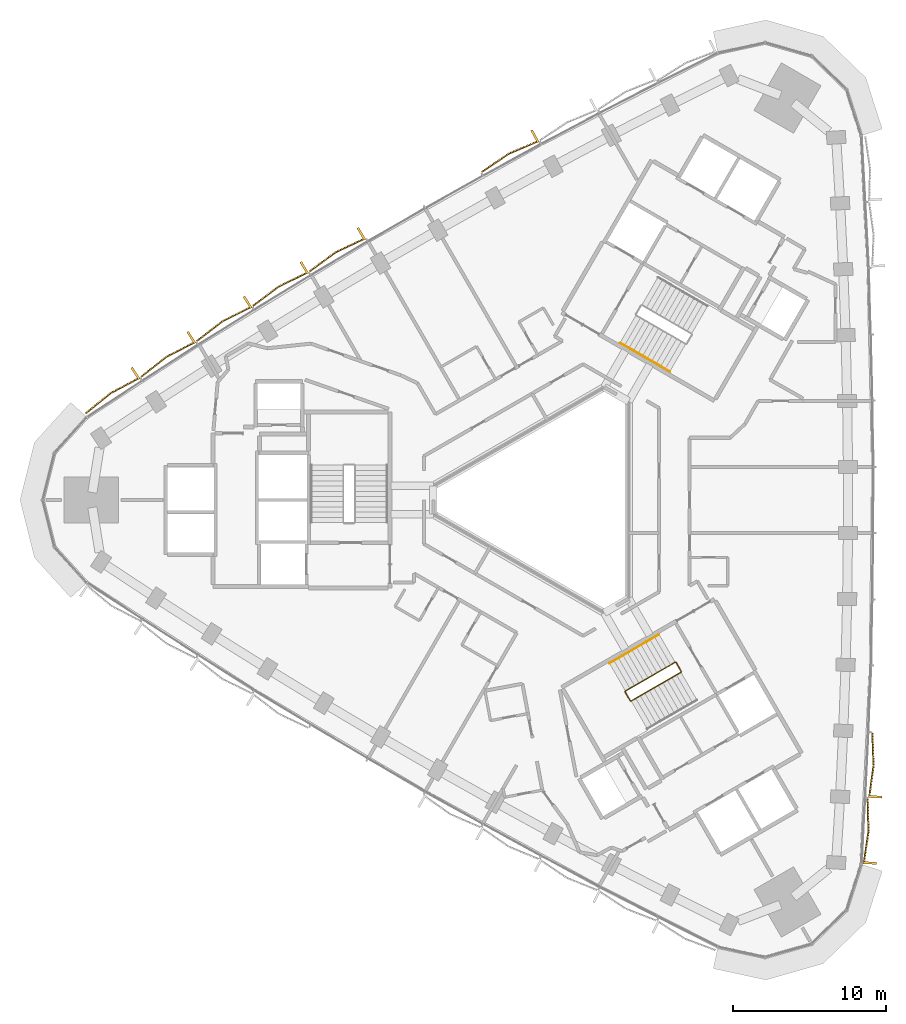
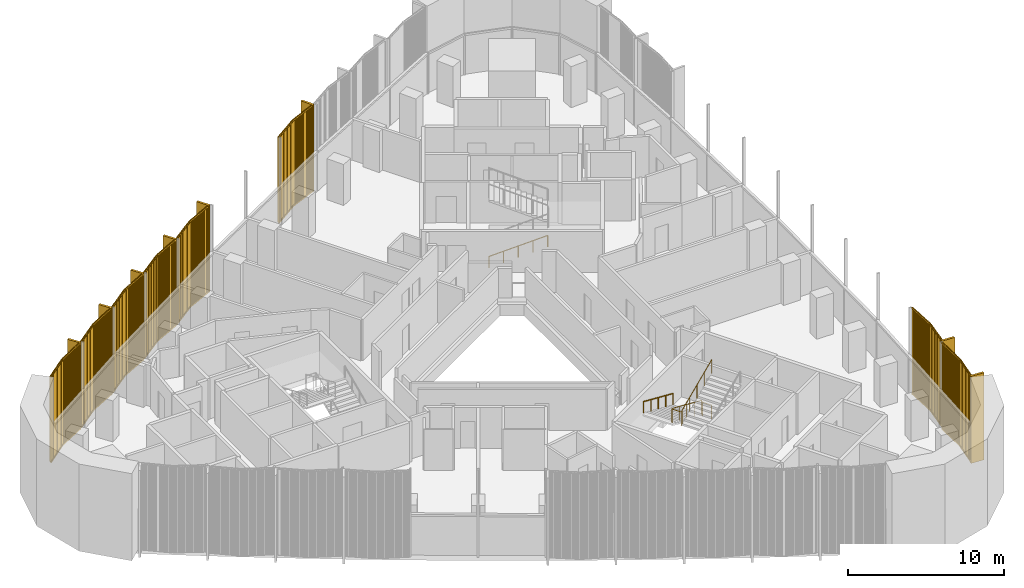
# One storey, part 14 of 15: 8 coverings, 3 railings.
"""IFC4 building model written with IfcOpenShell, lengths in metres."""

from ifc_helpers import new_model, si_unit, direction, frame, frame_2d, origin, origin_2d, place, context, subcontext, project, spatial, rectangle, circle, extrude, source, transform, mapped, material, type_object, element, save


model = new_model("IFC4")

# Units and contexts
model_context = context("Model", 3, precision=1e-05, world=origin(), true_north=direction((0.0, 1.0)))
body_context = subcontext(model_context, "Body", "Model", "MODEL_VIEW")
ifc_project = project(units=[si_unit("LENGTHUNIT", "METRE"), si_unit("AREAUNIT", "SQUARE_METRE"), si_unit("VOLUMEUNIT", "CUBIC_METRE"), si_unit("PLANEANGLEUNIT", "RADIAN"), si_unit("MASSUNIT", "GRAM", prefix="KILO")], contexts=[model_context])

# Site, building, storey
site_placement = place(None, origin())
site = spatial("IfcSite", under=ifc_project, at=site_placement, CompositionType="ELEMENT")
building_placement = place(site_placement, origin())
building = spatial("IfcBuilding", under=site, at=building_placement, Name="Tamra Quay Hotel Tower", CompositionType="ELEMENT")
storey_placement = place(building_placement, frame((0.0, 0.0, 128.800048828125)))
storey = spatial("IfcBuildingStorey", under=building, at=storey_placement, Name="L31", CompositionType="ELEMENT", Elevation=128.800048828125)

# Railings
ifc_material_1 = material(Name="Stair guard 1100")
railing_type_1 = type_object("IfcRailingType", Name="Stair guard 1100", PredefinedType="GUARDRAIL", material=ifc_material_1)
railing_1_placement = place(storey_placement, frame((8.245849609375, -11.221923828125, 0.0)))
element("IfcRailing", 1, at=railing_1_placement, inside=storey, type_object=railing_type_1, Name="GR", PredefinedType="GUARDRAIL", context=body_context, shape_type="SweptSolid", body=[
    extrude(circle(Radius=0.02392578125, at=origin_2d()), frame((0.0, 0.0, 1.076171875), z_axis=(-0.500043078269, 0.866000531106, 0.0), x_axis=(-0.866000531106, -0.500043078269, 0.0)), (0.0, 0.0, 1.0), 0.6591796875),
    extrude(circle(Radius=0.02392578125, at=origin_2d()), frame((-0.32958984375, 0.57080078125, 1.076171875), z_axis=(-0.41238007866, 0.110458949641, 0.904290601062), x_axis=(-0.258736085224, -0.965948051503, 0.0)), (0.0, 0.0, 1.0), 0.165771484375),
    extrude(circle(Radius=0.02392578125, at=origin_2d()), frame((-0.39794921875, 0.589111328125, 1.22607421875), z_axis=(-0.793081581205, -0.457901355053, 0.401681409319), x_axis=(0.500012686397, -0.866018079166, 0.0)), (0.0, 0.0, 1.0), 4.108154296875),
    extrude(circle(Radius=0.02392578125, at=origin_2d()), frame((-3.656005859375, -1.2919921875, 2.8759765625), z_axis=(-0.256368644879, -0.966579080015, 0.0), x_axis=(0.966579080015, -0.256368644879, 0.0)), (0.0, 0.0, 1.0), 0.070556640625),
    extrude(circle(Radius=0.02392578125, at=origin_2d()), frame((-3.674072265625, -1.360107421875, 2.8759765625), z_axis=(0.499765215335, -0.866160914346, 0.0), x_axis=(0.866160914346, 0.499765215335, 0.0)), (0.0, 0.0, 1.0), 0.658935546875),
    extrude(circle(Radius=0.02392578125, at=origin_2d()), frame((-3.3447265625, -1.930908203125, 2.8759765625), z_axis=(0.41238007866, -0.110458949641, 0.904290601062), x_axis=(0.258736085224, 0.965948051503, 0.0)), (0.0, 0.0, 1.0), 0.165771484375),
    extrude(circle(Radius=0.02392578125, at=origin_2d()), frame((-3.2763671875, -1.94921875, 3.02587890625), z_axis=(0.793100512587, 0.457912285461, 0.401631567183), x_axis=(-0.500012686397, 0.866018079166, 0.0)), (0.0, 0.0, 1.0), 4.10791015625),
    extrude(circle(Radius=0.02099609375, at=origin_2d()), origin(), (0.0, 0.0, 1.0), 1.052001953125),
    extrude(circle(Radius=0.02099609375, at=origin_2d()), frame((-0.32958984375, 0.57080078125, 0.0)), (0.0, 0.0, 1.0), 1.052001953125),
    extrude(circle(Radius=0.02099609375, at=origin_2d()), frame((-0.39794921875, 0.589111328125, 0.14990234375)), (0.0, 0.0, 1.0), 1.052001953125),
    extrude(circle(Radius=0.02099609375, at=origin_2d()), frame((-1.21240234375, 0.118896484375, 0.5625)), (0.0, 0.0, 1.0), 1.052001953125),
    extrude(circle(Radius=0.02099609375, at=origin_2d()), frame((-2.02685546875, -0.3515625, 0.97509765625)), (0.0, 0.0, 1.0), 1.052001953125),
    extrude(circle(Radius=0.02099609375, at=origin_2d()), frame((-2.841552734375, -0.82177734375, 1.387451171875)), (0.0, 0.0, 1.0), 1.052001953125),
    extrude(circle(Radius=0.02099609375, at=origin_2d()), frame((-3.656005859375, -1.2919921875, 1.800048828125)), (0.0, 0.0, 1.0), 1.052001953125),
    extrude(circle(Radius=0.02099609375, at=origin_2d()), frame((-3.674072265625, -1.360107421875, 1.800048828125)), (0.0, 0.0, 1.0), 1.052001953125),
    extrude(circle(Radius=0.02099609375, at=origin_2d()), frame((-3.3447265625, -1.930908203125, 1.800048828125)), (0.0, 0.0, 1.0), 1.052001953125),
    extrude(circle(Radius=0.02099609375, at=origin_2d()), frame((-3.2763671875, -1.94921875, 1.949951171875)), (0.0, 0.0, 1.0), 1.052001953125),
    extrude(circle(Radius=0.02099609375, at=origin_2d()), frame((-2.4619140625, -1.47900390625, 2.3623046875)), (0.0, 0.0, 1.0), 1.052001953125),
    extrude(circle(Radius=0.02099609375, at=origin_2d()), frame((-1.6474609375, -1.0087890625, 2.77490234375)), (0.0, 0.0, 1.0), 1.052001953125),
    extrude(circle(Radius=0.02099609375, at=origin_2d()), frame((-0.832763671875, -0.538330078125, 3.1875)), (0.0, 0.0, 1.0), 1.052001953125),
    extrude(circle(Radius=0.02099609375, at=origin_2d()), frame((-0.018310546875, -0.068115234375, 3.599853515625)), (0.0, 0.0, 1.0), 1.052001953125),
])
ifc_material_2 = material(Name="Stair handrail 900")
railing_type_2 = type_object("IfcRailingType", Name="Stair handrail 900", PredefinedType="HANDRAIL", material=ifc_material_2)
railing_2_placement = place(storey_placement, frame((4.234375, 10.294189453125, 0.14990234375)))
element("IfcRailing", 2, at=railing_2_placement, inside=storey, type_object=railing_type_2, Name="HR", PredefinedType="HANDRAIL", context=body_context, shape_type="SweptSolid", body=[
    extrude(circle(Radius=0.02392578125, at=origin_2d()), frame((0.0, 0.0, 0.8759765625), z_axis=(0.793103162556, -0.457854384738, 0.401692339881), x_axis=(0.499964013922, 0.86604617936, 0.0)), (0.0, 0.0, 1.0), 4.10791015625),
    extrude(circle(Radius=0.02099609375, at=origin_2d()), origin(), (0.0, 0.0, 1.0), 0.851806640625),
    extrude(circle(Radius=0.02099609375, at=origin_2d()), frame((0.814453125, -0.47021484375, 0.41259765625)), (0.0, 0.0, 1.0), 0.851806640625),
    extrude(circle(Radius=0.02099609375, at=origin_2d()), frame((1.62890625, -0.9404296875, 0.8251953125)), (0.0, 0.0, 1.0), 0.851806640625),
    extrude(circle(Radius=0.02099609375, at=origin_2d()), frame((2.443603515625, -1.41064453125, 1.237548828125)), (0.0, 0.0, 1.0), 0.851806640625),
    extrude(circle(Radius=0.02099609375, at=origin_2d()), frame((3.258056640625, -1.880859375, 1.650146484375)), (0.0, 0.0, 1.0), 0.851806640625),
])
railing_3_placement = place(storey_placement, frame((6.7978515625, -8.814208984375, 0.14990234375)))
element("IfcRailing", 3, at=railing_3_placement, inside=storey, type_object=railing_type_2, Name="HR", PredefinedType="HANDRAIL", context=body_context, shape_type="SweptSolid", body=[
    extrude(circle(Radius=0.02392578125, at=origin_2d()), frame((0.0, 0.0, 0.8759765625), z_axis=(-0.793081112945, -0.457875966286, 0.40171127416), x_axis=(0.499992114976, -0.866029956157, 0.0)), (0.0, 0.0, 1.0), 4.10791015625),
    extrude(circle(Radius=0.02099609375, at=origin_2d()), origin(), (0.0, 0.0, 1.0), 0.851806640625),
    extrude(circle(Radius=0.02099609375, at=origin_2d()), frame((-0.814453125, -0.47021484375, 0.41259765625)), (0.0, 0.0, 1.0), 0.851806640625),
    extrude(circle(Radius=0.02099609375, at=origin_2d()), frame((-1.62890625, -0.9404296875, 0.8251953125)), (0.0, 0.0, 1.0), 0.851806640625),
    extrude(circle(Radius=0.02099609375, at=origin_2d()), frame((-2.443359375, -1.41064453125, 1.237548828125)), (0.0, 0.0, 1.0), 0.851806640625),
    extrude(circle(Radius=0.02099609375, at=origin_2d()), frame((-3.2578125, -1.880859375, 1.650146484375)), (0.0, 0.0, 1.0), 0.851806640625),
])

# Coverings
ifc_material_3 = material(Name="Terracotta baguette extruded", Category="masonry")
covering_type_1 = type_object("IfcCoveringType", Name="BAGUETTE SCREEN E-V H6800", PredefinedType="USERDEFINED", material=ifc_material_3)
shared_shape_1 = source(origin(), body_context, "Body", "SweptSolid", [
    extrude(rectangle(XDim=2.140625, YDim=0.06005859375, at=frame_2d((1.0703125, 0.030029296875))), frame((-2.1376953125, -0.057861328125, -0.1201171875), z_axis=(0.0, 0.0, 1.0), x_axis=(0.996194698092, -0.087155742748, 0.0)), (0.0, 0.0, 1.0), 0.1201171875),
    extrude(rectangle(XDim=2.140625, YDim=0.06005859375, at=frame_2d((1.0703125, 0.030029296875))), frame((-2.1376953125, -0.057861328125, -6.800048828125), z_axis=(0.0, 0.0, 1.0), x_axis=(0.996194698092, -0.087155742748, 0.0)), (0.0, 0.0, 1.0), 0.1201171875),
    extrude(rectangle(XDim=0.070068359375, YDim=0.10009765625, at=frame_2d((0.03515625, 0.050048828125))), frame((-2.11669921875, -0.13232421875, -6.739990234375)), (0.0, 0.0, 1.0), 6.679931640625),
    extrude(rectangle(XDim=0.070068359375, YDim=0.10009765625, at=frame_2d((0.03515625, 0.050048828125))), frame((-2.01513671875, -0.141357421875, -6.739990234375)), (0.0, 0.0, 1.0), 6.679931640625),
    extrude(rectangle(XDim=0.070068359375, YDim=0.10009765625, at=frame_2d((0.03515625, 0.050048828125))), frame((-1.91357421875, -0.150146484375, -6.739990234375)), (0.0, 0.0, 1.0), 6.679931640625),
    extrude(rectangle(XDim=0.070068359375, YDim=0.10009765625, at=frame_2d((0.03515625, 0.050048828125))), frame((-1.81201171875, -0.1591796875, -6.739990234375)), (0.0, 0.0, 1.0), 6.679931640625),
    extrude(rectangle(XDim=0.070068359375, YDim=0.10009765625, at=frame_2d((0.03515625, 0.050048828125))), frame((-1.71044921875, -0.16796875, -6.739990234375)), (0.0, 0.0, 1.0), 6.679931640625),
    extrude(rectangle(XDim=0.070068359375, YDim=0.10009765625, at=frame_2d((0.03515625, 0.050048828125))), frame((-1.60888671875, -0.1767578125, -6.739990234375)), (0.0, 0.0, 1.0), 6.679931640625),
    extrude(rectangle(XDim=0.070068359375, YDim=0.10009765625, at=frame_2d((0.03515625, 0.050048828125))), frame((-1.50732421875, -0.185791015625, -6.739990234375)), (0.0, 0.0, 1.0), 6.679931640625),
    extrude(rectangle(XDim=0.070068359375, YDim=0.10009765625, at=frame_2d((0.03515625, 0.050048828125))), frame((-1.406005859375, -0.194580078125, -6.739990234375)), (0.0, 0.0, 1.0), 6.679931640625),
    extrude(rectangle(XDim=0.070068359375, YDim=0.10009765625, at=frame_2d((0.03515625, 0.050048828125))), frame((-1.304443359375, -0.20361328125, -6.739990234375)), (0.0, 0.0, 1.0), 6.679931640625),
    extrude(rectangle(XDim=0.070068359375, YDim=0.10009765625, at=frame_2d((0.03515625, 0.050048828125))), frame((-1.202880859375, -0.21240234375, -6.739990234375)), (0.0, 0.0, 1.0), 6.679931640625),
    extrude(rectangle(XDim=0.070068359375, YDim=0.10009765625, at=frame_2d((0.03515625, 0.050048828125))), frame((-1.101318359375, -0.22119140625, -6.739990234375)), (0.0, 0.0, 1.0), 6.679931640625),
    extrude(rectangle(XDim=0.070068359375, YDim=0.10009765625, at=frame_2d((0.03515625, 0.050048828125))), frame((-0.999755859375, -0.230224609375, -6.739990234375)), (0.0, 0.0, 1.0), 6.679931640625),
    extrude(rectangle(XDim=0.070068359375, YDim=0.10009765625, at=frame_2d((0.03515625, 0.050048828125))), frame((-0.898193359375, -0.239013671875, -6.739990234375)), (0.0, 0.0, 1.0), 6.679931640625),
    extrude(rectangle(XDim=0.070068359375, YDim=0.10009765625, at=frame_2d((0.03515625, 0.050048828125))), frame((-0.796630859375, -0.248046875, -6.739990234375)), (0.0, 0.0, 1.0), 6.679931640625),
    extrude(rectangle(XDim=0.070068359375, YDim=0.10009765625, at=frame_2d((0.03515625, 0.050048828125))), frame((-0.695068359375, -0.2568359375, -6.739990234375)), (0.0, 0.0, 1.0), 6.679931640625),
    extrude(rectangle(XDim=0.070068359375, YDim=0.10009765625, at=frame_2d((0.03515625, 0.050048828125))), frame((-0.593505859375, -0.265625, -6.739990234375)), (0.0, 0.0, 1.0), 6.679931640625),
    extrude(rectangle(XDim=0.070068359375, YDim=0.10009765625, at=frame_2d((0.03515625, 0.050048828125))), frame((-0.491943359375, -0.274658203125, -6.739990234375)), (0.0, 0.0, 1.0), 6.679931640625),
    extrude(rectangle(XDim=0.070068359375, YDim=0.10009765625, at=frame_2d((0.03515625, 0.050048828125))), frame((-0.390380859375, -0.283447265625, -6.739990234375)), (0.0, 0.0, 1.0), 6.679931640625),
    extrude(rectangle(XDim=0.070068359375, YDim=0.10009765625, at=frame_2d((0.03515625, 0.050048828125))), frame((-0.288818359375, -0.29248046875, -6.739990234375)), (0.0, 0.0, 1.0), 6.679931640625),
    extrude(rectangle(XDim=0.070068359375, YDim=0.10009765625, at=frame_2d((0.03515625, 0.050048828125))), frame((-0.187255859375, -0.30126953125, -6.739990234375)), (0.0, 0.0, 1.0), 6.679931640625),
    extrude(rectangle(XDim=0.070068359375, YDim=0.10009765625, at=frame_2d((0.03515625, 0.050048828125))), frame((-0.085693359375, -0.31005859375, -6.739990234375)), (0.0, 0.0, 1.0), 6.679931640625),
    extrude(rectangle(XDim=2.140625, YDim=0.06005859375, at=frame_2d((1.0703125, 0.030029296875))), frame((0.005126953125, -0.244384765625, -0.1201171875), z_axis=(0.0, 0.0, 1.0), x_axis=(0.996194698092, 0.087155742748, 0.0)), (0.0, 0.0, 1.0), 0.1201171875),
    extrude(rectangle(XDim=2.140625, YDim=0.06005859375, at=frame_2d((1.0703125, 0.030029296875))), frame((0.005126953125, -0.244384765625, -6.800048828125), z_axis=(0.0, 0.0, 1.0), x_axis=(0.996194698092, 0.087155742748, 0.0)), (0.0, 0.0, 1.0), 0.1201171875),
    extrude(rectangle(XDim=0.070068359375, YDim=0.10009765625, at=frame_2d((0.03515625, 0.050048828125))), frame((0.015869140625, -0.31005859375, -6.739990234375)), (0.0, 0.0, 1.0), 6.679931640625),
    extrude(rectangle(XDim=0.070068359375, YDim=0.10009765625, at=frame_2d((0.03515625, 0.050048828125))), frame((0.117431640625, -0.30126953125, -6.739990234375)), (0.0, 0.0, 1.0), 6.679931640625),
    extrude(rectangle(XDim=0.070068359375, YDim=0.10009765625, at=frame_2d((0.03515625, 0.050048828125))), frame((0.21875, -0.29248046875, -6.739990234375)), (0.0, 0.0, 1.0), 6.679931640625),
    extrude(rectangle(XDim=0.070068359375, YDim=0.10009765625, at=frame_2d((0.03515625, 0.050048828125))), frame((0.3203125, -0.283447265625, -6.739990234375)), (0.0, 0.0, 1.0), 6.679931640625),
    extrude(rectangle(XDim=0.070068359375, YDim=0.10009765625, at=frame_2d((0.03515625, 0.050048828125))), frame((0.421875, -0.274658203125, -6.739990234375)), (0.0, 0.0, 1.0), 6.679931640625),
    extrude(rectangle(XDim=0.070068359375, YDim=0.10009765625, at=frame_2d((0.03515625, 0.050048828125))), frame((0.5234375, -0.265625, -6.739990234375)), (0.0, 0.0, 1.0), 6.679931640625),
    extrude(rectangle(XDim=0.070068359375, YDim=0.10009765625, at=frame_2d((0.03515625, 0.050048828125))), frame((0.625, -0.2568359375, -6.739990234375)), (0.0, 0.0, 1.0), 6.679931640625),
    extrude(rectangle(XDim=0.070068359375, YDim=0.10009765625, at=frame_2d((0.03515625, 0.050048828125))), frame((0.7265625, -0.248046875, -6.739990234375)), (0.0, 0.0, 1.0), 6.679931640625),
    extrude(rectangle(XDim=0.070068359375, YDim=0.10009765625, at=frame_2d((0.03515625, 0.050048828125))), frame((0.828125, -0.239013671875, -6.739990234375)), (0.0, 0.0, 1.0), 6.679931640625),
    extrude(rectangle(XDim=0.070068359375, YDim=0.10009765625, at=frame_2d((0.03515625, 0.050048828125))), frame((0.9296875, -0.230224609375, -6.739990234375)), (0.0, 0.0, 1.0), 6.679931640625),
    extrude(rectangle(XDim=0.070068359375, YDim=0.10009765625, at=frame_2d((0.03515625, 0.050048828125))), frame((1.03125, -0.22119140625, -6.739990234375)), (0.0, 0.0, 1.0), 6.679931640625),
    extrude(rectangle(XDim=0.070068359375, YDim=0.10009765625, at=frame_2d((0.03515625, 0.050048828125))), frame((1.1328125, -0.21240234375, -6.739990234375)), (0.0, 0.0, 1.0), 6.679931640625),
    extrude(rectangle(XDim=0.070068359375, YDim=0.10009765625, at=frame_2d((0.03515625, 0.050048828125))), frame((1.234375, -0.20361328125, -6.739990234375)), (0.0, 0.0, 1.0), 6.679931640625),
    extrude(rectangle(XDim=0.070068359375, YDim=0.10009765625, at=frame_2d((0.03515625, 0.050048828125))), frame((1.3359375, -0.194580078125, -6.739990234375)), (0.0, 0.0, 1.0), 6.679931640625),
    extrude(rectangle(XDim=0.070068359375, YDim=0.10009765625, at=frame_2d((0.03515625, 0.050048828125))), frame((1.4375, -0.185791015625, -6.739990234375)), (0.0, 0.0, 1.0), 6.679931640625),
    extrude(rectangle(XDim=0.070068359375, YDim=0.10009765625, at=frame_2d((0.03515625, 0.050048828125))), frame((1.5390625, -0.1767578125, -6.739990234375)), (0.0, 0.0, 1.0), 6.679931640625),
    extrude(rectangle(XDim=0.070068359375, YDim=0.10009765625, at=frame_2d((0.03515625, 0.050048828125))), frame((1.640625, -0.16796875, -6.739990234375)), (0.0, 0.0, 1.0), 6.679931640625),
    extrude(rectangle(XDim=0.070068359375, YDim=0.10009765625, at=frame_2d((0.03515625, 0.050048828125))), frame((1.7421875, -0.1591796875, -6.739990234375)), (0.0, 0.0, 1.0), 6.679931640625),
    extrude(rectangle(XDim=0.070068359375, YDim=0.10009765625, at=frame_2d((0.03515625, 0.050048828125))), frame((1.84375, -0.150146484375, -6.739990234375)), (0.0, 0.0, 1.0), 6.679931640625),
    extrude(rectangle(XDim=0.070068359375, YDim=0.10009765625, at=frame_2d((0.03515625, 0.050048828125))), frame((1.945068359375, -0.141357421875, -6.739990234375)), (0.0, 0.0, 1.0), 6.679931640625),
    extrude(rectangle(XDim=0.070068359375, YDim=0.10009765625, at=frame_2d((0.03515625, 0.050048828125))), frame((2.046630859375, -0.13232421875, -6.739990234375)), (0.0, 0.0, 1.0), 6.679931640625),
    extrude(rectangle(XDim=0.14990234375, YDim=0.902099609375, at=frame_2d((0.074951171875, 0.451171875))), frame((-2.132568359375, -0.89990234375, -6.800048828125)), (0.0, 0.0, 1.0), 6.800048828125),
])
for number, where, z_axis, x_axis, name in (
    (4, (20.26953125, -21.70361328125, 6.800048828125), (0.0, 0.0, 1.0), (0.05964191564, 0.998219836458, 0.0), "Baguette screen L31.E.f00"),
    (5, (20.6025390625, -17.371826171875, 6.800048828125), (0.0, 0.0, 1.0), (0.04774710654, 0.998859456489, 0.0), "Baguette screen L31.E.f01"),
):
    element("IfcCovering", number, at=place(storey_placement, frame(where, z_axis=z_axis, x_axis=x_axis)), inside=storey, type_object=covering_type_1, Name=name, ObjectType="BAGUETTE SCREEN", PredefinedType="USERDEFINED", context=body_context, shape_type="MappedRepresentation", body=[
        mapped(shared_shape_1, transform((0.0, 0.0, 0.0), scale=1.0)),
    ])
covering_type_2 = type_object("IfcCoveringType", Name="BAGUETTE SCREEN NW-V H6800", PredefinedType="USERDEFINED", material=ifc_material_3)
shared_shape_2 = source(origin(), body_context, "Body", "SweptSolid", [
    extrude(rectangle(XDim=2.142333984375, YDim=0.06005859375, at=frame_2d((1.0712890625, 0.030029296875))), frame((-2.13818359375, -0.0576171875, -0.1201171875), z_axis=(0.0, 0.0, 1.0), x_axis=(0.995396198367, -0.09584575252, 0.0)), (0.0, 0.0, 1.0), 0.1201171875),
    extrude(rectangle(XDim=2.142333984375, YDim=0.06005859375, at=frame_2d((1.0712890625, 0.030029296875))), frame((-2.13818359375, -0.0576171875, -6.800048828125), z_axis=(0.0, 0.0, 1.0), x_axis=(0.995396198367, -0.09584575252, 0.0)), (0.0, 0.0, 1.0), 0.1201171875),
    extrude(rectangle(XDim=0.070068359375, YDim=0.10009765625, at=frame_2d((0.03515625, 0.050048828125))), frame((-2.11669921875, -0.1328125, -6.739990234375)), (0.0, 0.0, 1.0), 6.679931640625),
    extrude(rectangle(XDim=0.070068359375, YDim=0.10009765625, at=frame_2d((0.03515625, 0.050048828125))), frame((-2.01513671875, -0.142578125, -6.739990234375)), (0.0, 0.0, 1.0), 6.679931640625),
    extrude(rectangle(XDim=0.070068359375, YDim=0.10009765625, at=frame_2d((0.03515625, 0.050048828125))), frame((-1.91357421875, -0.15234375, -6.739990234375)), (0.0, 0.0, 1.0), 6.679931640625),
    extrude(rectangle(XDim=0.070068359375, YDim=0.10009765625, at=frame_2d((0.03515625, 0.050048828125))), frame((-1.81201171875, -0.162109375, -6.739990234375)), (0.0, 0.0, 1.0), 6.679931640625),
    extrude(rectangle(XDim=0.070068359375, YDim=0.10009765625, at=frame_2d((0.03515625, 0.050048828125))), frame((-1.71044921875, -0.172119140625, -6.739990234375)), (0.0, 0.0, 1.0), 6.679931640625),
    extrude(rectangle(XDim=0.070068359375, YDim=0.10009765625, at=frame_2d((0.03515625, 0.050048828125))), frame((-1.60888671875, -0.181884765625, -6.739990234375)), (0.0, 0.0, 1.0), 6.679931640625),
    extrude(rectangle(XDim=0.070068359375, YDim=0.10009765625, at=frame_2d((0.03515625, 0.050048828125))), frame((-1.50732421875, -0.191650390625, -6.739990234375)), (0.0, 0.0, 1.0), 6.679931640625),
    extrude(rectangle(XDim=0.070068359375, YDim=0.10009765625, at=frame_2d((0.03515625, 0.050048828125))), frame((-1.406005859375, -0.201416015625, -6.739990234375)), (0.0, 0.0, 1.0), 6.679931640625),
    extrude(rectangle(XDim=0.070068359375, YDim=0.10009765625, at=frame_2d((0.03515625, 0.050048828125))), frame((-1.304443359375, -0.211181640625, -6.739990234375)), (0.0, 0.0, 1.0), 6.679931640625),
    extrude(rectangle(XDim=0.070068359375, YDim=0.10009765625, at=frame_2d((0.03515625, 0.050048828125))), frame((-1.202880859375, -0.220947265625, -6.739990234375)), (0.0, 0.0, 1.0), 6.679931640625),
    extrude(rectangle(XDim=0.070068359375, YDim=0.10009765625, at=frame_2d((0.03515625, 0.050048828125))), frame((-1.101318359375, -0.230712890625, -6.739990234375)), (0.0, 0.0, 1.0), 6.679931640625),
    extrude(rectangle(XDim=0.070068359375, YDim=0.10009765625, at=frame_2d((0.03515625, 0.050048828125))), frame((-0.999755859375, -0.240478515625, -6.739990234375)), (0.0, 0.0, 1.0), 6.679931640625),
    extrude(rectangle(XDim=0.070068359375, YDim=0.10009765625, at=frame_2d((0.03515625, 0.050048828125))), frame((-0.898193359375, -0.250244140625, -6.739990234375)), (0.0, 0.0, 1.0), 6.679931640625),
    extrude(rectangle(XDim=0.070068359375, YDim=0.10009765625, at=frame_2d((0.03515625, 0.050048828125))), frame((-0.796630859375, -0.260009765625, -6.739990234375)), (0.0, 0.0, 1.0), 6.679931640625),
    extrude(rectangle(XDim=0.070068359375, YDim=0.10009765625, at=frame_2d((0.03515625, 0.050048828125))), frame((-0.695068359375, -0.269775390625, -6.739990234375)), (0.0, 0.0, 1.0), 6.679931640625),
    extrude(rectangle(XDim=0.070068359375, YDim=0.10009765625, at=frame_2d((0.03515625, 0.050048828125))), frame((-0.593505859375, -0.279541015625, -6.739990234375)), (0.0, 0.0, 1.0), 6.679931640625),
    extrude(rectangle(XDim=0.070068359375, YDim=0.10009765625, at=frame_2d((0.03515625, 0.050048828125))), frame((-0.491943359375, -0.289306640625, -6.739990234375)), (0.0, 0.0, 1.0), 6.679931640625),
    extrude(rectangle(XDim=0.070068359375, YDim=0.10009765625, at=frame_2d((0.03515625, 0.050048828125))), frame((-0.390380859375, -0.299072265625, -6.739990234375)), (0.0, 0.0, 1.0), 6.679931640625),
    extrude(rectangle(XDim=0.070068359375, YDim=0.10009765625, at=frame_2d((0.03515625, 0.050048828125))), frame((-0.288818359375, -0.308837890625, -6.739990234375)), (0.0, 0.0, 1.0), 6.679931640625),
    extrude(rectangle(XDim=0.070068359375, YDim=0.10009765625, at=frame_2d((0.03515625, 0.050048828125))), frame((-0.187255859375, -0.318603515625, -6.739990234375)), (0.0, 0.0, 1.0), 6.679931640625),
    extrude(rectangle(XDim=0.070068359375, YDim=0.10009765625, at=frame_2d((0.03515625, 0.050048828125))), frame((-0.085693359375, -0.328369140625, -6.739990234375)), (0.0, 0.0, 1.0), 6.679931640625),
    extrude(rectangle(XDim=2.142333984375, YDim=0.06005859375, at=frame_2d((1.0712890625, 0.030029296875))), frame((0.005859375, -0.262939453125, -0.1201171875), z_axis=(0.0, 0.0, 1.0), x_axis=(0.995396198367, 0.09584575252, 0.0)), (0.0, 0.0, 1.0), 0.1201171875),
    extrude(rectangle(XDim=2.142333984375, YDim=0.06005859375, at=frame_2d((1.0712890625, 0.030029296875))), frame((0.005859375, -0.262939453125, -6.800048828125), z_axis=(0.0, 0.0, 1.0), x_axis=(0.995396198367, 0.09584575252, 0.0)), (0.0, 0.0, 1.0), 0.1201171875),
    extrude(rectangle(XDim=0.070068359375, YDim=0.10009765625, at=frame_2d((0.03515625, 0.050048828125))), frame((0.015869140625, -0.328369140625, -6.739990234375)), (0.0, 0.0, 1.0), 6.679931640625),
    extrude(rectangle(XDim=0.070068359375, YDim=0.10009765625, at=frame_2d((0.03515625, 0.050048828125))), frame((0.117431640625, -0.318603515625, -6.739990234375)), (0.0, 0.0, 1.0), 6.679931640625),
    extrude(rectangle(XDim=0.070068359375, YDim=0.10009765625, at=frame_2d((0.03515625, 0.050048828125))), frame((0.21875, -0.308837890625, -6.739990234375)), (0.0, 0.0, 1.0), 6.679931640625),
    extrude(rectangle(XDim=0.070068359375, YDim=0.10009765625, at=frame_2d((0.03515625, 0.050048828125))), frame((0.3203125, -0.299072265625, -6.739990234375)), (0.0, 0.0, 1.0), 6.679931640625),
    extrude(rectangle(XDim=0.070068359375, YDim=0.10009765625, at=frame_2d((0.03515625, 0.050048828125))), frame((0.421875, -0.289306640625, -6.739990234375)), (0.0, 0.0, 1.0), 6.679931640625),
    extrude(rectangle(XDim=0.070068359375, YDim=0.10009765625, at=frame_2d((0.03515625, 0.050048828125))), frame((0.5234375, -0.279541015625, -6.739990234375)), (0.0, 0.0, 1.0), 6.679931640625),
    extrude(rectangle(XDim=0.070068359375, YDim=0.10009765625, at=frame_2d((0.03515625, 0.050048828125))), frame((0.625, -0.269775390625, -6.739990234375)), (0.0, 0.0, 1.0), 6.679931640625),
    extrude(rectangle(XDim=0.070068359375, YDim=0.10009765625, at=frame_2d((0.03515625, 0.050048828125))), frame((0.7265625, -0.260009765625, -6.739990234375)), (0.0, 0.0, 1.0), 6.679931640625),
    extrude(rectangle(XDim=0.070068359375, YDim=0.10009765625, at=frame_2d((0.03515625, 0.050048828125))), frame((0.828125, -0.250244140625, -6.739990234375)), (0.0, 0.0, 1.0), 6.679931640625),
    extrude(rectangle(XDim=0.070068359375, YDim=0.10009765625, at=frame_2d((0.03515625, 0.050048828125))), frame((0.9296875, -0.240478515625, -6.739990234375)), (0.0, 0.0, 1.0), 6.679931640625),
    extrude(rectangle(XDim=0.070068359375, YDim=0.10009765625, at=frame_2d((0.03515625, 0.050048828125))), frame((1.03125, -0.230712890625, -6.739990234375)), (0.0, 0.0, 1.0), 6.679931640625),
    extrude(rectangle(XDim=0.070068359375, YDim=0.10009765625, at=frame_2d((0.03515625, 0.050048828125))), frame((1.1328125, -0.220947265625, -6.739990234375)), (0.0, 0.0, 1.0), 6.679931640625),
    extrude(rectangle(XDim=0.070068359375, YDim=0.10009765625, at=frame_2d((0.03515625, 0.050048828125))), frame((1.234375, -0.211181640625, -6.739990234375)), (0.0, 0.0, 1.0), 6.679931640625),
    extrude(rectangle(XDim=0.070068359375, YDim=0.10009765625, at=frame_2d((0.03515625, 0.050048828125))), frame((1.3359375, -0.201416015625, -6.739990234375)), (0.0, 0.0, 1.0), 6.679931640625),
    extrude(rectangle(XDim=0.070068359375, YDim=0.10009765625, at=frame_2d((0.03515625, 0.050048828125))), frame((1.4375, -0.191650390625, -6.739990234375)), (0.0, 0.0, 1.0), 6.679931640625),
    extrude(rectangle(XDim=0.070068359375, YDim=0.10009765625, at=frame_2d((0.03515625, 0.050048828125))), frame((1.5390625, -0.181884765625, -6.739990234375)), (0.0, 0.0, 1.0), 6.679931640625),
    extrude(rectangle(XDim=0.070068359375, YDim=0.10009765625, at=frame_2d((0.03515625, 0.050048828125))), frame((1.640625, -0.172119140625, -6.739990234375)), (0.0, 0.0, 1.0), 6.679931640625),
    extrude(rectangle(XDim=0.070068359375, YDim=0.10009765625, at=frame_2d((0.03515625, 0.050048828125))), frame((1.7421875, -0.162109375, -6.739990234375)), (0.0, 0.0, 1.0), 6.679931640625),
    extrude(rectangle(XDim=0.070068359375, YDim=0.10009765625, at=frame_2d((0.03515625, 0.050048828125))), frame((1.84375, -0.15234375, -6.739990234375)), (0.0, 0.0, 1.0), 6.679931640625),
    extrude(rectangle(XDim=0.070068359375, YDim=0.10009765625, at=frame_2d((0.03515625, 0.050048828125))), frame((1.945068359375, -0.142578125, -6.739990234375)), (0.0, 0.0, 1.0), 6.679931640625),
    extrude(rectangle(XDim=0.070068359375, YDim=0.10009765625, at=frame_2d((0.03515625, 0.050048828125))), frame((2.046630859375, -0.1328125, -6.739990234375)), (0.0, 0.0, 1.0), 6.679931640625),
    extrude(rectangle(XDim=0.14990234375, YDim=0.902099609375, at=frame_2d((0.074951171875, 0.451171875))), frame((-2.132568359375, -0.89990234375, -6.800048828125)), (0.0, 0.0, 1.0), 6.800048828125),
])
for number, where, z_axis, x_axis, name in (
    (6, (-2.932861328125, 22.4560546875, 6.800048828125), (0.0, 0.0, 1.0), (-0.87772619785, -0.47916252108, 0.0), "Baguette screen L31.NW.f03"),
    (7, (-14.25830078125, 16.00732421875, 6.800048828125), (0.0, 0.0, 1.0), (-0.85998498014, -0.510319345051, 0.0), "Baguette screen L31.NW.f06"),
    (8, (-17.981201171875, 13.767822265625, 6.800048828125), (0.0, 0.0, 1.0), (-0.853830014722, -0.520551924365, 0.0), "Baguette screen L31.NW.f07"),
    (9, (-21.67724609375, 11.48388671875, 6.800048828125), (0.0, 0.0, 1.0), (-0.847546396231, -0.530721307501, 0.0), "Baguette screen L31.NW.f08"),
    (10, (-25.345703125, 9.156494140625, 6.800048828125), (0.0, 0.0, 1.0), (-0.841164110859, -0.540779935465, 0.0), "Baguette screen L31.NW.f09"),
    (11, (-28.98583984375, 6.785400390625, 6.800048828125), (0.0, 0.0, 1.0), (-0.834662779115, -0.550761332303, 0.0), "Baguette screen L31.NW.f10"),
):
    element("IfcCovering", number, at=place(storey_placement, frame(where, z_axis=z_axis, x_axis=x_axis)), inside=storey, type_object=covering_type_2, Name=name, ObjectType="BAGUETTE SCREEN", PredefinedType="USERDEFINED", context=body_context, shape_type="MappedRepresentation", body=[
        mapped(shared_shape_2, transform((0.0, 0.0, 0.0), scale=1.0)),
    ])

save(model, "model.ifc")
